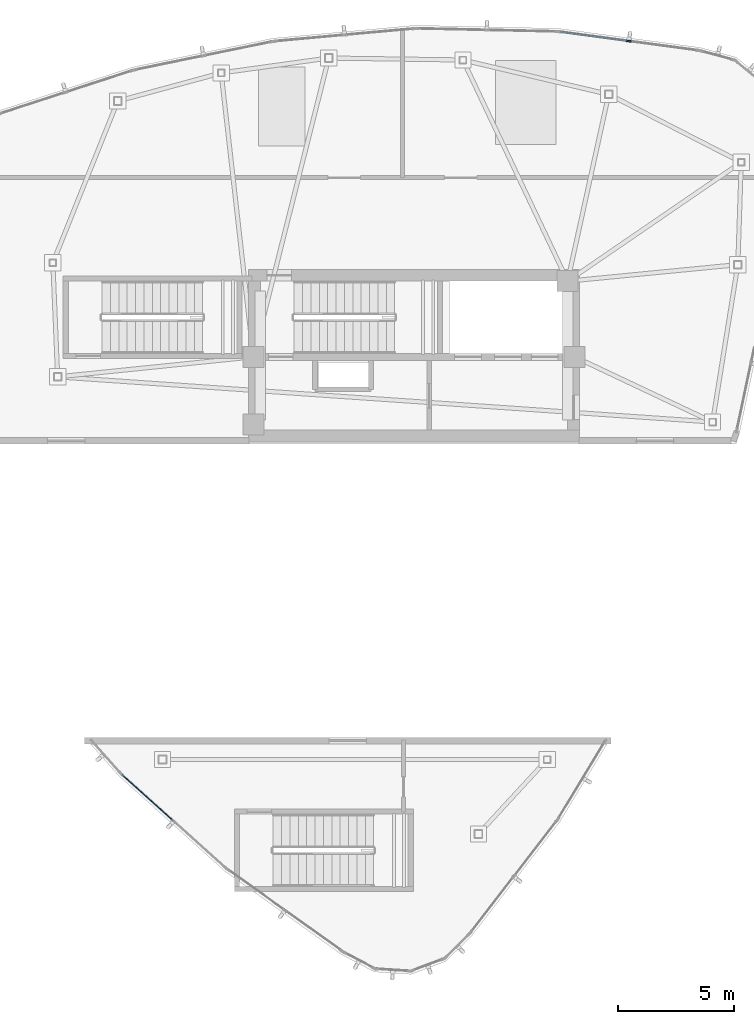
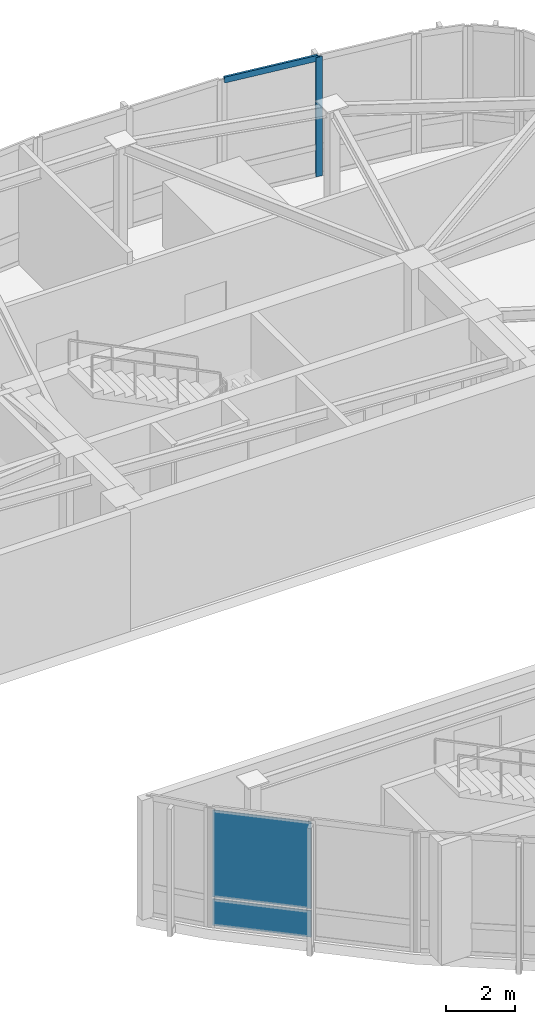
# One storey, part 8 of 16: 2 members, 2 plates, 2 elements without a shape of their own.
"""IFC4 building model written with IfcOpenShell, lengths in metres."""

from ifc_helpers import new_model, si_unit, direction, frame, origin, origin_2d, place, context, subcontext, project, spatial, rectangle, hollow_rectangle, extrude, source, transform, mapped, material, layer, layer_set, material_profile, profile_set, type_object, type_shapes, element, aggregate, save


model = new_model("IFC4")

# Units and contexts
model_context = context("Model", 3, precision=1e-05, world=origin(), true_north=direction((0.0, 1.0)))
body_context = subcontext(model_context, "Body", "Model", "MODEL_VIEW")
ifc_project = project(units=[si_unit("LENGTHUNIT", "METRE"), si_unit("AREAUNIT", "SQUARE_METRE"), si_unit("VOLUMEUNIT", "CUBIC_METRE"), si_unit("PLANEANGLEUNIT", "RADIAN"), si_unit("MASSUNIT", "GRAM", prefix="KILO")], contexts=[model_context])

# Site, building, storey
site_placement = place(None, origin())
site = spatial("IfcSite", under=ifc_project, at=site_placement, CompositionType="ELEMENT")
building_placement = place(site_placement, origin())
building = spatial("IfcBuilding", under=site, at=building_placement, Name="Tavelor Broadcast Tower", CompositionType="ELEMENT")
storey_placement = place(building_placement, frame((0.0, 0.0, 336.699951171875)))
storey = spatial("IfcBuildingStorey", under=building, at=storey_placement, Name="L80", CompositionType="ELEMENT", Elevation=336.699951171875)

# Curtain wall, members
ifc_material_1 = material(Name="Architectural Anodized Aluminium", Category="aluminium")
ifc_layer_1 = layer(ifc_material_1, 0.2099609375)
ifc_layer_set_1 = layer_set([ifc_layer_1], Name="Architectural Anodized Aluminium")
curtain_wall_type = type_object("IfcCurtainWallType", Name="Split-Crown Beacon Curtain Wall CW06", PredefinedType="NOTDEFINED", material=ifc_layer_set_1)
curtain_wall_1_placement = place(storey_placement, origin())
curtain_wall_1 = element("IfcCurtainWall", 1, at=curtain_wall_1_placement, inside=storey, type_object=curtain_wall_type, Name="L80 Curtain Wall CW06 Run 909", PredefinedType="NOTDEFINED")
ifc_material_profile_1 = material_profile(ifc_material_1, hollow_rectangle(XDim=0.072021484375, YDim=0.2099609375, WallThickness=0.02197265625, at=origin_2d()), Name="RHS 72x210x22")
ifc_profile_set_1 = profile_set([ifc_material_profile_1], Name="Architectural Anodized Aluminium")
member_type_1 = type_object("IfcMemberType", Name="CW06 Extruded Aluminium Mullion 72x210", PredefinedType="MULLION", material=ifc_profile_set_1)
shared_shape_1 = source(origin(), body_context, "Body", "SweptSolid", [
    extrude(hollow_rectangle(XDim=0.072021484375, YDim=0.2099609375, WallThickness=0.02197265625, at=origin_2d()), origin(), (0.0, 0.0, 1.0), 4.25),
])
type_shapes(member_type_1, [shared_shape_1])
member_1_placement = place(storey_placement, frame((59.234130859375, 61.5126953125, 0.0), z_axis=(0.0, 0.0, 1.0), x_axis=(-0.133628487947, -0.991031496578, 0.0)))
member_1 = element("IfcMember", 2, at=member_1_placement, type_object=member_type_1, Name="CW06 mullion 2", PredefinedType="MULLION", context=body_context, shape_type="MappedRepresentation", body=[
    mapped(shared_shape_1, transform((0.0, 0.0, 0.0), scale=1.0)),
])
ifc_material_profile_2 = material_profile(ifc_material_1, hollow_rectangle(XDim=0.072021484375, YDim=0.2099609375, WallThickness=0.02197265625, at=origin_2d()), Name="RHS 72x210x22")
ifc_profile_set_2 = profile_set([ifc_material_profile_2], Name="Architectural Anodized Aluminium")
member_type_2 = type_object("IfcMemberType", Name="CW06 Extruded Aluminium Transom 72x210", PredefinedType="USERDEFINED", material=ifc_profile_set_2)
shared_shape_2 = source(origin(), body_context, "Body", "SweptSolid", [
    extrude(hollow_rectangle(XDim=0.072021484375, YDim=0.2099609375, WallThickness=0.02197265625, at=origin_2d()), origin(), (0.0, 0.0, 1.0), 2.94140625),
])
type_shapes(member_type_2, [shared_shape_2])
member_2_placement = place(storey_placement, frame((59.198486328125, 61.517333984375, 4.214111328125), z_axis=(-0.991031091038, 0.133631495525, 0.0), x_axis=(-0.133631495525, -0.991031091038, 0.0)))
member_2 = element("IfcMember", 3, at=member_2_placement, type_object=member_type_2, Name="CW06 transom 2.3", ObjectType="TRANSOM", PredefinedType="USERDEFINED", context=body_context, shape_type="MappedRepresentation", body=[
    mapped(shared_shape_2, transform((0.0, 0.0, 0.0), scale=1.0)),
])
aggregate(curtain_wall_1, [member_1, member_2])

# Curtain wall, plates
curtain_wall_2_placement = place(storey_placement, origin())
curtain_wall_2 = element("IfcCurtainWall", 4, at=curtain_wall_2_placement, inside=storey, type_object=curtain_wall_type, Name="L80 Curtain Wall CW06 Run 921", PredefinedType="NOTDEFINED")
ifc_material_2 = material(Name="Dichroic Solar Laminated Glazing 34 mm", Category="glass")
ifc_layer_2 = layer(ifc_material_2, 0.033935546875)
ifc_layer_set_2 = layer_set([ifc_layer_2], Name="Dichroic Solar Laminated Glazing 34 mm")
plate_type = type_object("IfcPlateType", Name="CW06 Insulated Vision Glazing Panel 34 mm", PredefinedType="CURTAIN_PANEL", material=ifc_layer_set_2)
shared_shape_3 = source(origin(), body_context, "Body", "SweptSolid", [
    extrude(rectangle(XDim=2.942138671875, YDim=0.033935546875, at=origin_2d()), origin(), (0.0, 0.0, 1.0), 0.94189453125),
])
plate_1_placement = place(storey_placement, frame((38.557373046875, 29.01416015625, 0.072021484375), z_axis=(0.0, 0.0, 1.0), x_axis=(0.743711340311, -0.668500891766, 0.0)))
plate_1 = element("IfcPlate", 5, at=plate_1_placement, type_object=plate_type, Name="CW06 panel 1.1", PredefinedType="CURTAIN_PANEL", context=body_context, shape_type="MappedRepresentation", body=[
    mapped(shared_shape_3, transform((0.0, 0.0, 0.0), scale=1.0)),
])
shared_shape_4 = source(origin(), body_context, "Body", "SweptSolid", [
    extrude(rectangle(XDim=2.942138671875, YDim=0.033935546875, at=origin_2d()), origin(), (0.0, 0.0, 1.0), 3.092041015625),
])
type_shapes(plate_type, [shared_shape_3, shared_shape_4])
plate_2_placement = place(storey_placement, frame((38.557373046875, 29.01416015625, 1.0859375), z_axis=(0.0, 0.0, 1.0), x_axis=(0.743711340311, -0.668500891766, 0.0)))
plate_2 = element("IfcPlate", 6, at=plate_2_placement, type_object=plate_type, Name="CW06 panel 1.2", PredefinedType="CURTAIN_PANEL", context=body_context, shape_type="MappedRepresentation", body=[
    mapped(shared_shape_4, transform((0.0, 0.0, 0.0), scale=1.0)),
])
aggregate(curtain_wall_2, [plate_1, plate_2])

save(model, "model.ifc")
